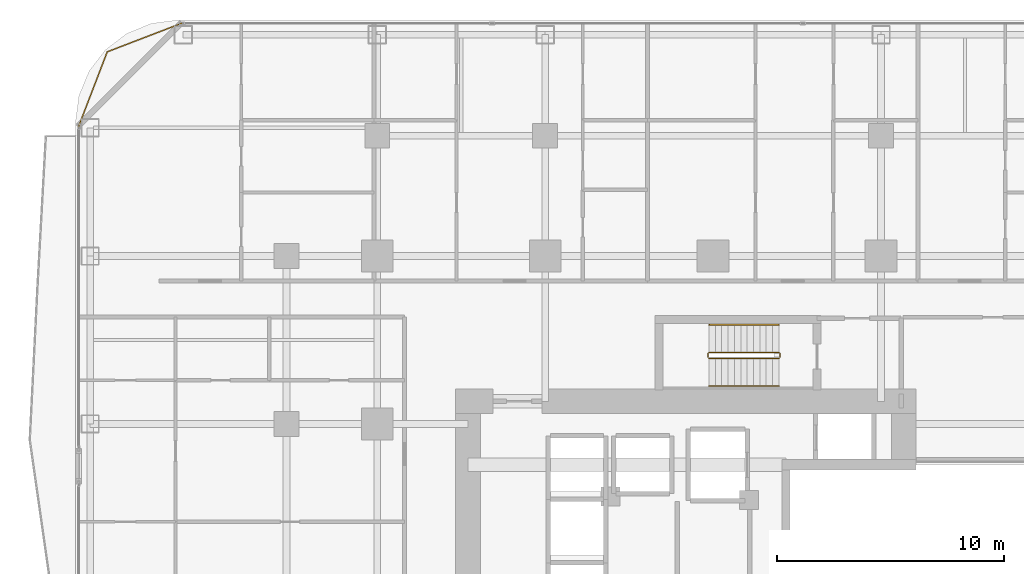
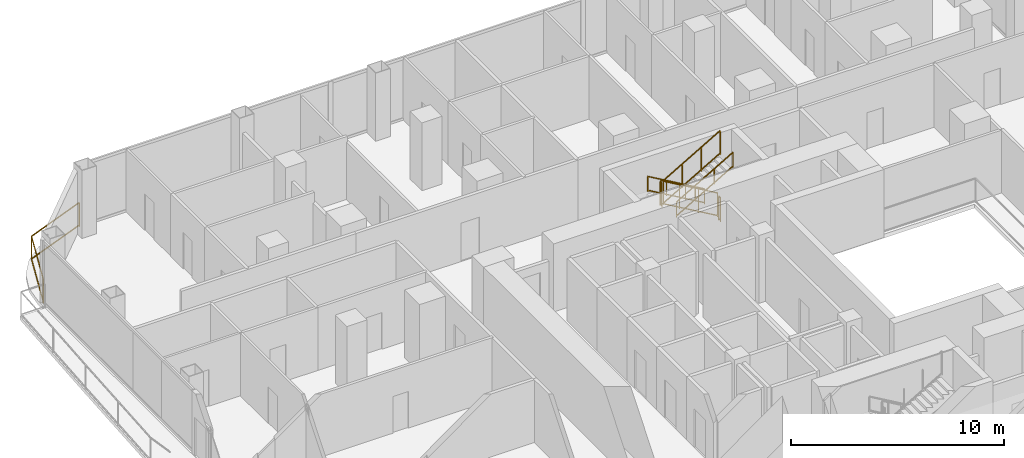
# One storey, part 28 of 29: 7 railings.
"""IFC4 building model written with IfcOpenShell, lengths in metres."""

from ifc_helpers import new_model, si_unit, direction, frame, origin, origin_2d, place, context, subcontext, project, spatial, rectangle, extrude, material, type_object, element, save


model = new_model("IFC4")

# Units and contexts
model_context = context("Model", 3, precision=1e-05, world=origin(), true_north=direction((0.0, 1.0)))
body_context = subcontext(model_context, "Body", "Model", "MODEL_VIEW")
ifc_project = project(units=[si_unit("LENGTHUNIT", "METRE"), si_unit("AREAUNIT", "SQUARE_METRE"), si_unit("VOLUMEUNIT", "CUBIC_METRE"), si_unit("PLANEANGLEUNIT", "RADIAN"), si_unit("MASSUNIT", "GRAM", prefix="KILO")], contexts=[model_context])

# Site, building, storey
site_placement = place(None, origin())
site = spatial("IfcSite", under=ifc_project, at=site_placement, CompositionType="ELEMENT")
building_placement = place(site_placement, origin())
building = spatial("IfcBuilding", under=site, at=building_placement, Name="Khorvyn Point Tower", CompositionType="ELEMENT")
storey_placement = place(building_placement, frame((0.0, 0.0, 73.5)))
storey = spatial("IfcBuildingStorey", under=building, at=storey_placement, Name="L19", CompositionType="ELEMENT", Elevation=73.5)

# Railings
ifc_material_1 = material(Name="Anodised aluminium 6063-T6 and laminated safety glass", Category="aluminium")
railing_type_1 = type_object("IfcRailingType", Name="Laminated Glass and Aluminium Balcony Guardrail 1400", PredefinedType="BALUSTRADE", material=ifc_material_1)
railing_1_placement = place(storey_placement, frame((-23.370849609375, 25.073974609375, 0.0)))
element("IfcRailing", 1, at=railing_1_placement, inside=storey, type_object=railing_type_1, Name="L19 Rounded Corner Edge Guardrail NW", PredefinedType="BALUSTRADE", context=body_context, shape_type="SweptSolid", body=[
    extrude(rectangle(XDim=0.048095703125, YDim=0.048095703125, at=origin_2d()), frame((0.0, 0.0, 1.3759765625), z_axis=(-0.933575007025, -0.358382067435, 0.0), x_axis=(0.358382067435, -0.933575007025, 0.0)), (0.0, 0.0, 1.0), 3.562744140625),
    extrude(rectangle(XDim=0.048095703125, YDim=0.048095703125, at=origin_2d()), frame((0.0, 0.0, 0.080078125), z_axis=(-0.933575007025, -0.358382067435, 0.0), x_axis=(0.358382067435, -0.933575007025, 0.0)), (0.0, 0.0, 1.0), 3.562744140625),
    extrude(rectangle(XDim=0.048095703125, YDim=0.048095703125, at=origin_2d()), frame((-3.326171875, -1.27685546875, 1.3759765625), z_axis=(-0.35841886047, -0.933560882031, 0.0), x_axis=(0.933560882031, -0.35841886047, 0.0)), (0.0, 0.0, 1.0), 3.563232421875),
    extrude(rectangle(XDim=0.048095703125, YDim=0.048095703125, at=origin_2d()), frame((-3.326171875, -1.27685546875, 0.080078125), z_axis=(-0.35841886047, -0.933560882031, 0.0), x_axis=(0.933560882031, -0.35841886047, 0.0)), (0.0, 0.0, 1.0), 3.563232421875),
    extrude(rectangle(XDim=0.0419921875, YDim=0.0419921875, at=origin_2d()), origin(), (0.0, 0.0, 1.0), 1.351806640625),
    extrude(rectangle(XDim=0.0419921875, YDim=0.0419921875, at=origin_2d()), frame((-3.326171875, -1.27685546875, 0.0)), (0.0, 0.0, 1.0), 1.351806640625),
    extrude(rectangle(XDim=0.0419921875, YDim=0.0419921875, at=origin_2d()), frame((-4.603271484375, -4.603271484375, 0.0)), (0.0, 0.0, 1.0), 1.351806640625),
])
ifc_material_2 = material(Name="Stainless steel 1.4301", Category="steel")
railing_type_2 = type_object("IfcRailingType", Name="Stainless Steel 304 Stair Pitch Handrail 900", PredefinedType="HANDRAIL", material=ifc_material_2)
railing_2_placement = place(storey_placement, frame((2.89990234375, 11.77001953125, 0.16259765625)))
element("IfcRailing", 2, at=railing_2_placement, inside=storey, type_object=railing_type_2, Name="L19 ST-02 stair handrail 1", PredefinedType="HANDRAIL", context=body_context, shape_type="SweptSolid", body=[
    extrude(rectangle(XDim=0.048095703125, YDim=0.048095703125, at=origin_2d()), frame((0.0, 0.0, 0.8759765625), z_axis=(-0.864903211148, 0.0, 0.501938676878), x_axis=(0.0, -1.0, 0.0)), (0.0, 0.0, 1.0), 3.560791015625),
    extrude(rectangle(XDim=0.048095703125, YDim=0.048095703125, at=origin_2d()), frame((0.0, 0.0, 0.080078125), z_axis=(-0.864903211148, 0.0, 0.501938676878), x_axis=(0.0, -1.0, 0.0)), (0.0, 0.0, 1.0), 3.560791015625),
    extrude(rectangle(XDim=0.0419921875, YDim=0.0419921875, at=origin_2d()), origin(), (0.0, 0.0, 1.0), 0.851806640625),
    extrude(rectangle(XDim=0.0419921875, YDim=0.0419921875, at=origin_2d()), frame((-1.026611328125, 0.0, 0.595703125)), (0.0, 0.0, 1.0), 0.851806640625),
    extrude(rectangle(XDim=0.0419921875, YDim=0.0419921875, at=origin_2d()), frame((-2.05322265625, 0.0, 1.191650390625)), (0.0, 0.0, 1.0), 0.851806640625),
    extrude(rectangle(XDim=0.0419921875, YDim=0.0419921875, at=origin_2d()), frame((-3.079833984375, 0.0, 1.787353515625)), (0.0, 0.0, 1.0), 0.851806640625),
])
railing_3_placement = place(storey_placement, frame((-0.179931640625, 9.070068359375, 2.112548828125)))
element("IfcRailing", 3, at=railing_3_placement, inside=storey, type_object=railing_type_2, Name="L19 ST-02 stair handrail 2", PredefinedType="HANDRAIL", context=body_context, shape_type="SweptSolid", body=[
    extrude(rectangle(XDim=0.048095703125, YDim=0.048095703125, at=origin_2d()), frame((0.0, 0.0, 0.8759765625), z_axis=(0.864903211148, 0.0, 0.501938676878), x_axis=(0.0, 1.0, 0.0)), (0.0, 0.0, 1.0), 3.560791015625),
    extrude(rectangle(XDim=0.048095703125, YDim=0.048095703125, at=origin_2d()), frame((0.0, 0.0, 0.080078125), z_axis=(0.864903211148, 0.0, 0.501938676878), x_axis=(0.0, 1.0, 0.0)), (0.0, 0.0, 1.0), 3.560791015625),
    extrude(rectangle(XDim=0.0419921875, YDim=0.0419921875, at=origin_2d()), origin(), (0.0, 0.0, 1.0), 0.851806640625),
    extrude(rectangle(XDim=0.0419921875, YDim=0.0419921875, at=origin_2d()), frame((1.026611328125, 0.0, 0.595703125)), (0.0, 0.0, 1.0), 0.851806640625),
    extrude(rectangle(XDim=0.0419921875, YDim=0.0419921875, at=origin_2d()), frame((2.05322265625, 0.0, 1.191650390625)), (0.0, 0.0, 1.0), 0.851806640625),
    extrude(rectangle(XDim=0.0419921875, YDim=0.0419921875, at=origin_2d()), frame((3.079833984375, 0.0, 1.787353515625)), (0.0, 0.0, 1.0), 0.851806640625),
])
railing_type_3 = type_object("IfcRailingType", Name="Stainless Steel 304 Stair Well Guardrail 1400", PredefinedType="GUARDRAIL", material=ifc_material_2)
railing_4_placement = place(storey_placement, frame((2.89990234375, 10.550048828125, 0.16259765625)))
element("IfcRailing", 4, at=railing_4_placement, inside=storey, type_object=railing_type_3, Name="L19 ST-02 stair guard 1", PredefinedType="GUARDRAIL", context=body_context, shape_type="SweptSolid", body=[
    extrude(rectangle(XDim=0.048095703125, YDim=0.048095703125, at=origin_2d()), frame((0.0, 0.0, 1.3759765625), z_axis=(-0.864903211148, 0.0, 0.501938676878), x_axis=(0.0, -1.0, 0.0)), (0.0, 0.0, 1.0), 3.560791015625),
    extrude(rectangle(XDim=0.048095703125, YDim=0.048095703125, at=origin_2d()), frame((0.0, 0.0, 0.080078125), z_axis=(-0.864903211148, 0.0, 0.501938676878), x_axis=(0.0, -1.0, 0.0)), (0.0, 0.0, 1.0), 3.560791015625),
    extrude(rectangle(XDim=0.0419921875, YDim=0.0419921875, at=origin_2d()), origin(), (0.0, 0.0, 1.0), 1.351806640625),
    extrude(rectangle(XDim=0.0419921875, YDim=0.0419921875, at=origin_2d()), frame((-1.026611328125, 0.0, 0.595703125)), (0.0, 0.0, 1.0), 1.351806640625),
    extrude(rectangle(XDim=0.0419921875, YDim=0.0419921875, at=origin_2d()), frame((-2.05322265625, 0.0, 1.191650390625)), (0.0, 0.0, 1.0), 1.351806640625),
    extrude(rectangle(XDim=0.0419921875, YDim=0.0419921875, at=origin_2d()), frame((-3.079833984375, 0.0, 1.787353515625)), (0.0, 0.0, 1.0), 1.351806640625),
])
railing_5_placement = place(storey_placement, frame((-0.22998046875, 10.5, 1.949951171875)))
element("IfcRailing", 5, at=railing_5_placement, inside=storey, type_object=railing_type_3, Name="L19 ST-02 stair guard 2", PredefinedType="GUARDRAIL", context=body_context, shape_type="SweptSolid", body=[
    extrude(rectangle(XDim=0.048095703125, YDim=0.048095703125, at=origin_2d()), frame((0.0, 0.0, 1.3759765625), z_axis=(0.0, -1.0, 0.0), x_axis=(1.0, 0.0, 0.0)), (0.0, 0.0, 1.0), 0.159912109375),
    extrude(rectangle(XDim=0.048095703125, YDim=0.048095703125, at=origin_2d()), frame((0.0, 0.0, 0.080078125), z_axis=(0.0, -1.0, 0.0), x_axis=(1.0, 0.0, 0.0)), (0.0, 0.0, 1.0), 0.159912109375),
    extrude(rectangle(XDim=0.0419921875, YDim=0.0419921875, at=origin_2d()), origin(), (0.0, 0.0, 1.0), 1.351806640625),
    extrude(rectangle(XDim=0.0419921875, YDim=0.0419921875, at=origin_2d()), frame((0.0, -0.159912109375, 0.0)), (0.0, 0.0, 1.0), 1.351806640625),
])
railing_6_placement = place(storey_placement, frame((-0.179931640625, 10.2900390625, 2.112548828125)))
element("IfcRailing", 6, at=railing_6_placement, inside=storey, type_object=railing_type_3, Name="L19 ST-02 stair guard 3", PredefinedType="GUARDRAIL", context=body_context, shape_type="SweptSolid", body=[
    extrude(rectangle(XDim=0.048095703125, YDim=0.048095703125, at=origin_2d()), frame((0.0, 0.0, 1.3759765625), z_axis=(0.864903211148, 0.0, 0.501938676878), x_axis=(0.0, 1.0, 0.0)), (0.0, 0.0, 1.0), 3.560791015625),
    extrude(rectangle(XDim=0.048095703125, YDim=0.048095703125, at=origin_2d()), frame((0.0, 0.0, 0.080078125), z_axis=(0.864903211148, 0.0, 0.501938676878), x_axis=(0.0, 1.0, 0.0)), (0.0, 0.0, 1.0), 3.560791015625),
    extrude(rectangle(XDim=0.0419921875, YDim=0.0419921875, at=origin_2d()), origin(), (0.0, 0.0, 1.0), 1.351806640625),
    extrude(rectangle(XDim=0.0419921875, YDim=0.0419921875, at=origin_2d()), frame((1.026611328125, 0.0, 0.595703125)), (0.0, 0.0, 1.0), 1.351806640625),
    extrude(rectangle(XDim=0.0419921875, YDim=0.0419921875, at=origin_2d()), frame((2.05322265625, 0.0, 1.191650390625)), (0.0, 0.0, 1.0), 1.351806640625),
    extrude(rectangle(XDim=0.0419921875, YDim=0.0419921875, at=origin_2d()), frame((3.079833984375, 0.0, 1.787353515625)), (0.0, 0.0, 1.0), 1.351806640625),
])
railing_7_placement = place(storey_placement, frame((2.949951171875, 10.5, 0.0)))
element("IfcRailing", 7, at=railing_7_placement, inside=storey, type_object=railing_type_3, Name="L19 ST-02 stair guard 4", PredefinedType="GUARDRAIL", context=body_context, shape_type="SweptSolid", body=[
    extrude(rectangle(XDim=0.048095703125, YDim=0.048095703125, at=origin_2d()), frame((0.0, 0.0, 1.3759765625), z_axis=(0.0, -1.0, 0.0), x_axis=(1.0, 0.0, 0.0)), (0.0, 0.0, 1.0), 0.159912109375),
    extrude(rectangle(XDim=0.048095703125, YDim=0.048095703125, at=origin_2d()), frame((0.0, 0.0, 0.080078125), z_axis=(0.0, -1.0, 0.0), x_axis=(1.0, 0.0, 0.0)), (0.0, 0.0, 1.0), 0.159912109375),
    extrude(rectangle(XDim=0.0419921875, YDim=0.0419921875, at=origin_2d()), origin(), (0.0, 0.0, 1.0), 1.351806640625),
    extrude(rectangle(XDim=0.0419921875, YDim=0.0419921875, at=origin_2d()), frame((0.0, -0.159912109375, 0.0)), (0.0, 0.0, 1.0), 1.351806640625),
])

save(model, "model.ifc")
